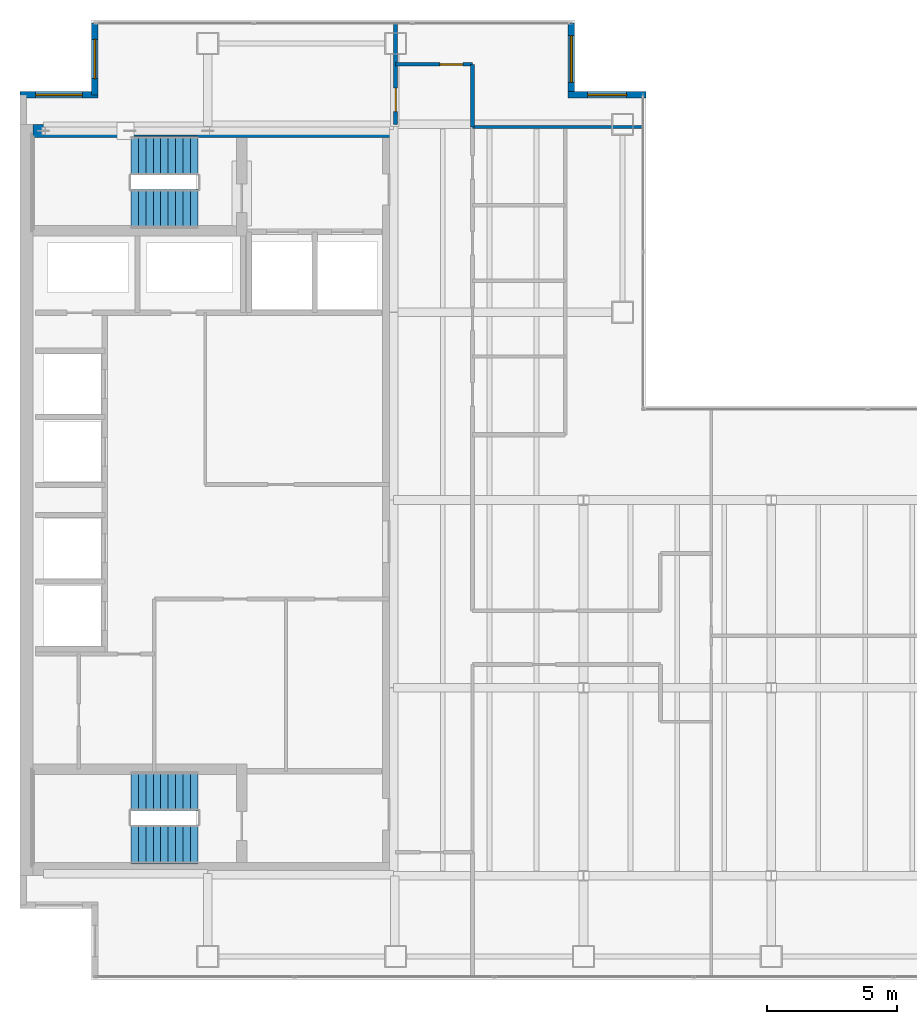
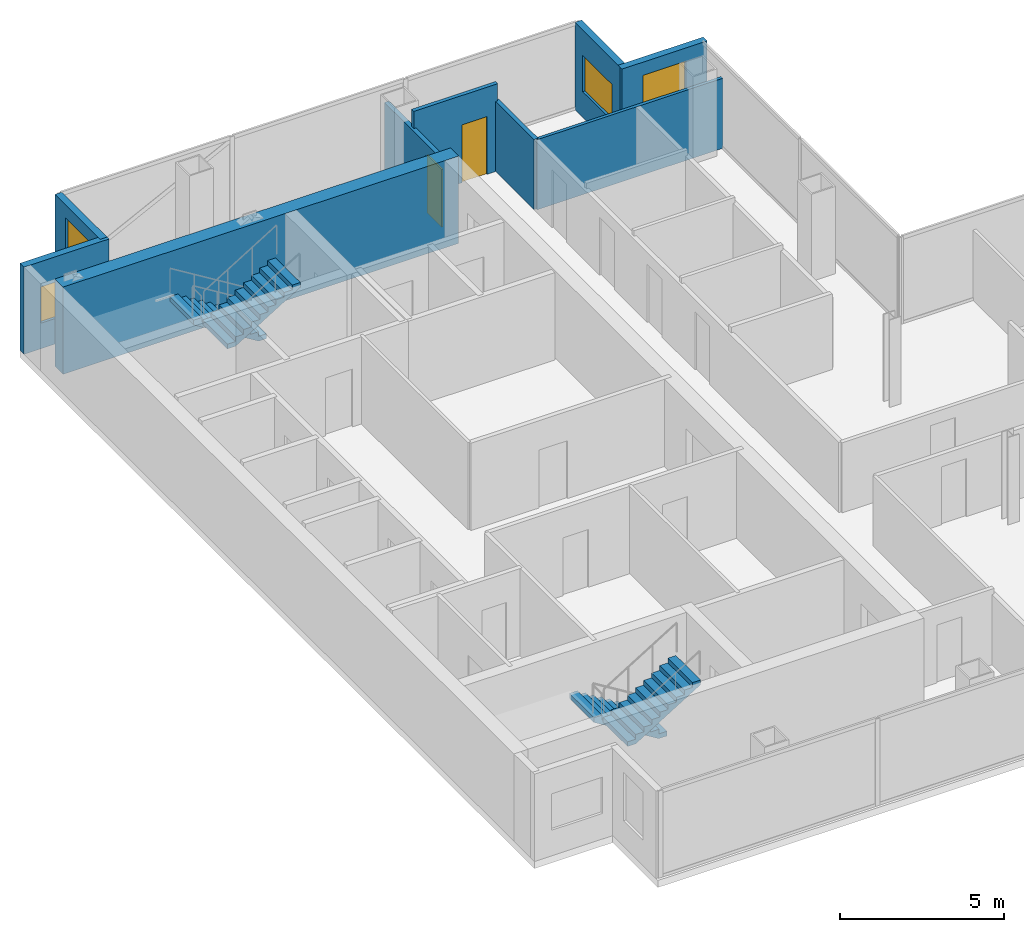
# One storey, part 22 of 23: 9 walls, 4 stair flights, 4 windows, 2 doors, 6 openings, 2 elements without a shape of their own.
"""IFC4 building model written with IfcOpenShell, lengths in metres."""

from ifc_helpers import new_model, si_unit, direction, frame, frame_2d, origin, place, context, subcontext, project, spatial, polyline, rectangle, outline, extrude, material, layer, layer_set, type_object, element, fill, aggregate, save


model = new_model("IFC4")

# Units and contexts
model_context = context("Model", 3, precision=1e-05, world=origin(), true_north=direction((0.0, 1.0)))
body_context = subcontext(model_context, "Body", "Model", "MODEL_VIEW")
ifc_project = project(units=[si_unit("LENGTHUNIT", "METRE"), si_unit("AREAUNIT", "SQUARE_METRE"), si_unit("VOLUMEUNIT", "CUBIC_METRE"), si_unit("PLANEANGLEUNIT", "RADIAN"), si_unit("MASSUNIT", "GRAM", prefix="KILO")], contexts=[model_context])

# Site, building, storey
site_placement = place(None, origin())
site = spatial("IfcSite", under=ifc_project, at=site_placement, CompositionType="ELEMENT")
building_placement = place(site_placement, origin())
building = spatial("IfcBuilding", under=site, at=building_placement, Name="Cobrela Telecom Tower", CompositionType="ELEMENT")
storey_placement = place(building_placement, frame((0.0, 0.0, 183.75)))
storey = spatial("IfcBuildingStorey", under=building, at=storey_placement, Name="L46", CompositionType="ELEMENT", Elevation=183.75)

# Wall
ifc_material_1 = material(Name="Concrete C40/50", Category="concrete")
ifc_layer_1 = layer(ifc_material_1, 0.5)
ifc_layer_set_1 = layer_set([ifc_layer_1], Name="Concrete C40/50")
wall_type_1 = type_object("IfcWallType", Name="WALL-CORE-C40-500", PredefinedType="SHEAR", material=ifc_layer_set_1)
wall_1_placement = place(storey_placement, frame((0.5, 35.75, 0.0), z_axis=(0.0, 0.0, 1.0), x_axis=(1.0, 0.0, 0.0)))
element("IfcWall", 1, at=wall_1_placement, inside=storey, type_object=wall_type_1, Name="L46 North Core Shear Wall", PredefinedType="SHEAR", context=body_context, shape_type="SweptSolid", body=[
    extrude(rectangle(XDim=13.89990234375, YDim=0.5, at=frame_2d((6.949951171875, 0.0))), origin(), (0.0, 0.0, 1.0), 3.239990234375),
])

# Wall, opening, window
ifc_layer_2 = layer(ifc_material_1, 0.239990234375)
ifc_layer_set_2 = layer_set([ifc_layer_2], Name="Concrete C40/50")
wall_type_2 = type_object("IfcWallType", Name="WALL-EXT-300", PredefinedType="STANDARD", material=ifc_layer_set_2)
wall_2_placement = place(storey_placement, frame((0.0, 37.1298828125, 0.0), z_axis=(0.0, 0.0, 1.0), x_axis=(1.0, 0.0, 0.0)))
wall_2 = element("IfcWall", 2, at=wall_2_placement, inside=storey, type_object=wall_type_2, Name="L46 Insulated Facade Wall 05", PredefinedType="STANDARD", context=body_context, shape_type="SweptSolid", body=[
    extrude(rectangle(XDim=2.989990234375, YDim=0.239990234375, at=frame_2d((1.4951171875, 0.0))), origin(), (0.0, 0.0, 1.0), 3.239990234375),
])
opening_1_placement = place(wall_2_placement, frame((0.594970703125, 0.0, 0.949951171875)))
opening_1 = element("IfcOpeningElement", 3, at=opening_1_placement, cuts=wall_2, Name="Opening WN-27", PredefinedType="OPENING", context=body_context, shape_type="SweptSolid", body=[
    extrude(rectangle(XDim=1.800048828125, YDim=1.35009765625, at=frame_2d((0.89990234375, 0.675048828125))), frame((0.0, 0.1318359375, 0.0), z_axis=(0.0, -1.0, 0.0), x_axis=(1.0, 0.0, 0.0)), (0.0, 0.0, 1.0), 0.263916015625),
])
ifc_material_2 = material(Name="Solar-Control Bronze Low-E Glass", Category="glass")
window_type_1 = type_object("IfcWindowType", Name="WIN-CLER-1800", PartitioningType="SINGLE_PANEL", PredefinedType="WINDOW", material=ifc_material_2)
window_1_placement = place(opening_1_placement, origin())
window_1 = element("IfcWindow", 4, at=window_1_placement, inside=storey, type_object=window_type_1, Name="L46 Corner Notch Facade Window 221", OverallHeight=1.35009765625, OverallWidth=1.800048828125, PartitioningType="SINGLE_PANEL", PredefinedType="WINDOW", context=body_context, shape_type="SweptSolid", body=[
    extrude(rectangle(XDim=1.800048828125, YDim=1.35009765625, at=frame_2d((0.89990234375, 0.675048828125))), frame((0.0, 0.030029296875, 0.0), z_axis=(0.0, -1.0, 0.0), x_axis=(1.0, 0.0, 0.0)), (0.0, 0.0, 1.0), 0.06005859375),
])
fill(opening_1, window_1)

wall_3_placement = place(storey_placement, frame((2.8701171875, 37.1298828125, 0.0), z_axis=(0.0, 0.0, 1.0), x_axis=(0.0, 1.0, 0.0)))
wall_3 = element("IfcWall", 5, at=wall_3_placement, inside=storey, type_object=wall_type_2, Name="L46 Insulated Facade Wall 06", PredefinedType="STANDARD", context=body_context, shape_type="SweptSolid", body=[
    extrude(rectangle(XDim=2.75, YDim=0.239990234375, at=frame_2d((1.375, 0.0))), origin(), (0.0, 0.0, 1.0), 3.239990234375),
])
opening_2_placement = place(wall_3_placement, frame((0.625, 0.0, 0.949951171875)))
opening_2 = element("IfcOpeningElement", 6, at=opening_2_placement, cuts=wall_3, Name="Opening WN-45", PredefinedType="OPENING", context=body_context, shape_type="SweptSolid", body=[
    extrude(rectangle(XDim=1.5, YDim=1.800048828125, at=frame_2d((0.75, 0.89990234375))), frame((0.0, 0.1318359375, 0.0), z_axis=(0.0, -1.0, 0.0), x_axis=(1.0, 0.0, 0.0)), (0.0, 0.0, 1.0), 0.263916015625),
])
window_type_2 = type_object("IfcWindowType", Name="WIN-MOD-1500", PartitioningType="SINGLE_PANEL", PredefinedType="WINDOW", material=ifc_material_2)
window_2_placement = place(opening_2_placement, origin())
window_2 = element("IfcWindow", 7, at=window_2_placement, inside=storey, type_object=window_type_2, Name="L46 Corner Notch Facade Window 222", OverallHeight=1.800048828125, OverallWidth=1.5, PartitioningType="SINGLE_PANEL", PredefinedType="WINDOW", context=body_context, shape_type="SweptSolid", body=[
    extrude(rectangle(XDim=1.5, YDim=1.800048828125, at=frame_2d((0.75, 0.89990234375))), frame((0.0, 0.030029296875, 0.0), z_axis=(0.0, -1.0, 0.0), x_axis=(1.0, 0.0, 0.0)), (0.0, 0.0, 1.0), 0.06005859375),
])
fill(opening_2, window_2)

wall_4_placement = place(storey_placement, frame((21.1298828125, 39.8798828125, 0.0), z_axis=(0.0, 0.0, 1.0), x_axis=(0.0, -1.0, 0.0)))
wall_4 = element("IfcWall", 8, at=wall_4_placement, inside=storey, type_object=wall_type_2, Name="L46 Insulated Facade Wall 08", PredefinedType="STANDARD", context=body_context, shape_type="SweptSolid", body=[
    extrude(rectangle(XDim=2.75, YDim=0.239990234375, at=frame_2d((1.375, 0.0))), origin(), (0.0, 0.0, 1.0), 3.239990234375),
])
opening_3_placement = place(wall_4_placement, frame((0.47509765625, 0.0, 0.949951171875)))
opening_3 = element("IfcOpeningElement", 9, at=opening_3_placement, cuts=wall_4, Name="Opening WN-27", PredefinedType="OPENING", context=body_context, shape_type="SweptSolid", body=[
    extrude(rectangle(XDim=1.800048828125, YDim=1.35009765625, at=frame_2d((0.89990234375, 0.675048828125))), frame((0.0, 0.1318359375, 0.0), z_axis=(0.0, -1.0, 0.0), x_axis=(1.0, 0.0, 0.0)), (0.0, 0.0, 1.0), 0.263916015625),
])
window_3_placement = place(opening_3_placement, origin())
window_3 = element("IfcWindow", 10, at=window_3_placement, inside=storey, type_object=window_type_1, Name="L46 Corner Notch Facade Window 223", OverallHeight=1.35009765625, OverallWidth=1.800048828125, PartitioningType="SINGLE_PANEL", PredefinedType="WINDOW", context=body_context, shape_type="SweptSolid", body=[
    extrude(rectangle(XDim=1.800048828125, YDim=1.35009765625, at=frame_2d((0.89990234375, 0.675048828125))), frame((0.0, 0.030029296875, 0.0), z_axis=(0.0, -1.0, 0.0), x_axis=(1.0, 0.0, 0.0)), (0.0, 0.0, 1.0), 0.06005859375),
])
fill(opening_3, window_3)

wall_5_placement = place(storey_placement, frame((21.010009765625, 37.1298828125, 0.0), z_axis=(0.0, 0.0, 1.0), x_axis=(1.0, 0.0, 0.0)))
wall_5 = element("IfcWall", 11, at=wall_5_placement, inside=storey, type_object=wall_type_2, Name="L46 Insulated Facade Wall 09", PredefinedType="STANDARD", context=body_context, shape_type="SweptSolid", body=[
    extrude(rectangle(XDim=2.989990234375, YDim=0.239990234375, at=frame_2d((1.4951171875, 0.0))), origin(), (0.0, 0.0, 1.0), 3.239990234375),
])
opening_4_placement = place(wall_5_placement, frame((0.7451171875, 0.0, 0.949951171875)))
opening_4 = element("IfcOpeningElement", 12, at=opening_4_placement, cuts=wall_5, Name="Opening WN-45", PredefinedType="OPENING", context=body_context, shape_type="SweptSolid", body=[
    extrude(rectangle(XDim=1.5, YDim=1.800048828125, at=frame_2d((0.75, 0.89990234375))), frame((0.0, 0.1318359375, 0.0), z_axis=(0.0, -1.0, 0.0), x_axis=(1.0, 0.0, 0.0)), (0.0, 0.0, 1.0), 0.263916015625),
])
window_4_placement = place(opening_4_placement, origin())
window_4 = element("IfcWindow", 13, at=window_4_placement, inside=storey, type_object=window_type_2, Name="L46 Corner Notch Facade Window 224", OverallHeight=1.800048828125, OverallWidth=1.5, PartitioningType="SINGLE_PANEL", PredefinedType="WINDOW", context=body_context, shape_type="SweptSolid", body=[
    extrude(rectangle(XDim=1.5, YDim=1.800048828125, at=frame_2d((0.75, 0.89990234375))), frame((0.0, 0.030029296875, 0.0), z_axis=(0.0, -1.0, 0.0), x_axis=(1.0, 0.0, 0.0)), (0.0, 0.0, 1.0), 0.06005859375),
])
fill(opening_4, window_4)

# Wall
ifc_material_3 = material(Name="Fire-Rated Gypsum Plasterboard")
ifc_layer_3 = layer(ifc_material_3, 0.110107421875)
ifc_layer_set_3 = layer_set([ifc_layer_3], Name="Fire-Rated Gypsum Plasterboard")
wall_type_3 = type_object("IfcWallType", Name="WALL-PART-110", PredefinedType="PARTITIONING", material=ifc_layer_set_3)
wall_6_placement = place(storey_placement, frame((17.35009765625, 35.89990234375, 0.0), z_axis=(0.0, 0.0, 1.0), x_axis=(1.0, 0.0, 0.0)))
element("IfcWall", 14, at=wall_6_placement, inside=storey, type_object=wall_type_3, Name="L46 Interior Partition W-NW2-S", PredefinedType="PARTITIONING", context=body_context, shape_type="SweptSolid", body=[
    extrude(rectangle(XDim=6.52978515625, YDim=0.110107421875, at=frame_2d((3.264892578125, 0.0))), origin(), (0.0, 0.0, 1.0), 2.60302734375),
])

# Wall, opening, door
ifc_layer_4 = layer(ifc_material_3, 0.135009765625)
ifc_layer_set_4 = layer_set([ifc_layer_4], Name="Fire-Rated Gypsum Plasterboard")
wall_type_4 = type_object("IfcWallType", Name="WALL-PART-135", PredefinedType="PARTITIONING", material=ifc_layer_set_4)
wall_7_placement = place(storey_placement, frame((14.39990234375, 38.300048828125, 0.0), z_axis=(0.0, 0.0, 1.0), x_axis=(1.0, 0.0, 0.0)))
wall_7 = element("IfcWall", 15, at=wall_7_placement, inside=storey, type_object=wall_type_4, Name="L46 Interior Partition W-CN-T", PredefinedType="PARTITIONING", context=body_context, shape_type="SweptSolid", body=[
    extrude(rectangle(XDim=2.9501953125, YDim=0.135009765625, at=frame_2d((1.47509765625, 0.0))), origin(), (0.0, 0.0, 1.0), 3.239990234375),
])
opening_5_placement = place(wall_7_placement, frame((1.699951171875, 0.0, 0.0)))
opening_5 = element("IfcOpeningElement", 16, at=opening_5_placement, cuts=wall_7, Name="Opening DR-39", PredefinedType="OPENING", context=body_context, shape_type="SweptSolid", body=[
    extrude(rectangle(XDim=0.8798828125, YDim=2.14990234375, at=frame_2d((0.43994140625, 1.074951171875))), frame((0.0, 0.07958984375, 0.0), z_axis=(0.0, -1.0, 0.0), x_axis=(1.0, 0.0, 0.0)), (0.0, 0.0, 1.0), 0.158935546875),
])
ifc_material_4 = material(Name="Solid Engineered Oak Timber", Category="wood")
door_type_1 = type_object("IfcDoorType", Name="DOOR-INT-880", OperationType="SINGLE_SWING_LEFT", PredefinedType="DOOR", material=ifc_material_4)
door_1_placement = place(opening_5_placement, origin())
door_1 = element("IfcDoor", 17, at=door_1_placement, inside=storey, type_object=door_type_1, Name="L46 Door DR-39", OperationType="SINGLE_SWING_RIGHT", OverallHeight=2.14990234375, OverallWidth=0.8798828125, PredefinedType="DOOR", context=body_context, shape_type="SweptSolid", body=[
    extrude(rectangle(XDim=0.8798828125, YDim=2.14990234375, at=frame_2d((0.43994140625, 1.074951171875))), frame((0.0, 0.02490234375, 0.0), z_axis=(0.0, -1.0, 0.0), x_axis=(1.0, 0.0, 0.0)), (0.0, 0.0, 1.0), 0.050048828125),
])
fill(opening_5, door_1)

# Wall
ifc_layer_5 = layer(ifc_material_3, 0.14990234375)
ifc_layer_set_5 = layer_set([ifc_layer_5], Name="Fire-Rated Gypsum Plasterboard")
wall_type_5 = type_object("IfcWallType", Name="WALL-PART-150", PredefinedType="PARTITIONING", material=ifc_layer_set_5)
wall_8_placement = place(storey_placement, frame((17.35009765625, 35.89990234375, 0.0), z_axis=(0.0, 0.0, 1.0), x_axis=(0.0, 1.0, 0.0)))
element("IfcWall", 18, at=wall_8_placement, inside=storey, type_object=wall_type_5, Name="L46 Interior Partition W-CN-E", PredefinedType="PARTITIONING", context=body_context, shape_type="SweptSolid", body=[
    extrude(rectangle(XDim=2.400146484375, YDim=0.14990234375, at=frame_2d((1.2001953125, 0.0))), origin(), (0.0, 0.0, 1.0), 2.60302734375),
])

# Wall, opening, door
ifc_layer_6 = layer(ifc_material_3, 0.159912109375)
ifc_layer_set_6 = layer_set([ifc_layer_6], Name="Fire-Rated Gypsum Plasterboard")
wall_type_6 = type_object("IfcWallType", Name="WALL-PART-160", PredefinedType="PARTITIONING", material=ifc_layer_set_6)
wall_9_placement = place(storey_placement, frame((14.39990234375, 36.0, 0.0), z_axis=(0.0, 0.0, 1.0), x_axis=(0.0, 1.0, 0.0)))
wall_9 = element("IfcWall", 19, at=wall_9_placement, inside=storey, type_object=wall_type_6, Name="L46 Interior Partition W-CN-W", PredefinedType="PARTITIONING", context=body_context, shape_type="SweptSolid", body=[
    extrude(rectangle(XDim=3.8798828125, YDim=0.159912109375, at=frame_2d((1.93994140625, 0.0))), origin(), (0.0, 0.0, 1.0), 2.60302734375),
])
opening_6_placement = place(wall_9_placement, frame((0.489990234375, 0.0, 0.0)))
opening_6 = element("IfcOpeningElement", 20, at=opening_6_placement, cuts=wall_9, Name="Opening DR-41", PredefinedType="OPENING", context=body_context, shape_type="SweptSolid", body=[
    extrude(rectangle(XDim=0.89990234375, YDim=2.14990234375, at=frame_2d((0.449951171875, 1.074951171875))), frame((0.0, 0.091796875, 0.0), z_axis=(0.0, -1.0, 0.0), x_axis=(1.0, 0.0, 0.0)), (0.0, 0.0, 1.0), 0.183837890625),
])
door_type_2 = type_object("IfcDoorType", Name="DOOR-INT-900", OperationType="SINGLE_SWING_LEFT", PredefinedType="DOOR", material=ifc_material_4)
door_2_placement = place(opening_6_placement, origin())
door_2 = element("IfcDoor", 21, at=door_2_placement, inside=storey, type_object=door_type_2, Name="L46 Door DR-41", OperationType="SINGLE_SWING_LEFT", OverallHeight=2.14990234375, OverallWidth=0.89990234375, PredefinedType="DOOR", context=body_context, shape_type="SweptSolid", body=[
    extrude(rectangle(XDim=0.89990234375, YDim=2.14990234375, at=frame_2d((0.449951171875, 1.074951171875))), frame((0.0, 0.02490234375, 0.0), z_axis=(0.0, -1.0, 0.0), x_axis=(1.0, 0.0, 0.0)), (0.0, 0.0, 1.0), 0.050048828125),
])
fill(opening_6, door_2)

# Stair, stair flights
stair_type = type_object("IfcStairType", Name="STAIR-CORE", PredefinedType="HALF_TURN_STAIR", material=ifc_material_1)
stair_1_placement = place(storey_placement, origin())
stair_1 = element("IfcStair", 22, at=stair_1_placement, inside=storey, type_object=stair_type, Name="L46 Smokeproof Exit Stair ST1", PredefinedType="HALF_TURN_STAIR")
stair_flight_type = type_object("IfcStairFlightType", Name="FLIGHT-CORE", PredefinedType="STRAIGHT", material=ifc_material_1)
stair_flight_1_placement = place(storey_placement, frame((6.820068359375, 34.800048828125, 0.0), z_axis=(0.0, 0.0, 1.0), x_axis=(-1.0, 0.0, 0.0)))
stair_flight_1 = element("IfcStairFlight", 23, at=stair_flight_1_placement, type_object=stair_flight_type, Name="ST1 flight 1", NumberOfRisers=10, NumberOfTreads=9, PredefinedType="STRAIGHT", RiserHeight=0.175, TreadLength=0.285, context=body_context, shape_type="SweptSolid", body=[
    extrude(outline(polyline([(0.0, 0.0), (0.0, 0.175048828125), (0.284912109375, 0.175048828125), (0.284912109375, 0.35009765625), (0.570068359375, 0.35009765625), (0.570068359375, 0.52490234375), (0.85498046875, 0.52490234375), (0.85498046875, 0.699951171875), (1.139892578125, 0.699951171875), (1.139892578125, 0.875), (1.425048828125, 0.875), (1.425048828125, 1.050048828125), (1.7099609375, 1.050048828125), (1.7099609375, 1.22509765625), (1.9951171875, 1.22509765625), (1.9951171875, 1.39990234375), (2.280029296875, 1.39990234375), (2.280029296875, 1.574951171875), (2.56494140625, 1.574951171875), (2.56494140625, 1.75), (2.56494140625, 1.399169921875), (0.286376953125, 0.0), (0.0, 0.0)])), frame((0.0, 0.75, 0.0), z_axis=(0.0, -1.0, 0.0), x_axis=(1.0, 0.0, 0.0)), (0.0, 0.0, 1.0), 1.5),
])
stair_flight_2_placement = place(storey_placement, frame((4.2548828125, 32.75, 1.75), z_axis=(0.0, 0.0, 1.0), x_axis=(1.0, 0.0, 0.0)))
stair_flight_2 = element("IfcStairFlight", 24, at=stair_flight_2_placement, type_object=stair_flight_type, Name="ST1 flight 2", NumberOfRisers=10, NumberOfTreads=9, PredefinedType="STRAIGHT", RiserHeight=0.175, TreadLength=0.285, context=body_context, shape_type="SweptSolid", body=[
    extrude(outline(polyline([(0.0, 0.0), (0.0, 0.175048828125), (0.284912109375, 0.175048828125), (0.284912109375, 0.35009765625), (0.570068359375, 0.35009765625), (0.570068359375, 0.52490234375), (0.85498046875, 0.52490234375), (0.85498046875, 0.699951171875), (1.139892578125, 0.699951171875), (1.139892578125, 0.875), (1.425048828125, 0.875), (1.425048828125, 1.050048828125), (1.7099609375, 1.050048828125), (1.7099609375, 1.22509765625), (1.9951171875, 1.22509765625), (1.9951171875, 1.39990234375), (2.280029296875, 1.39990234375), (2.280029296875, 1.574951171875), (2.56494140625, 1.574951171875), (2.56494140625, 1.75), (2.56494140625, 1.399169921875), (0.286376953125, 0.0), (0.0, 0.0)])), frame((0.0, 0.75, 0.0), z_axis=(0.0, -1.0, 0.0), x_axis=(1.0, 0.0, 0.0)), (0.0, 0.0, 1.0), 1.5),
])
aggregate(stair_1, [stair_flight_1, stair_flight_2])

stair_2_placement = place(storey_placement, origin())
stair_2 = element("IfcStair", 25, at=stair_2_placement, inside=storey, type_object=stair_type, Name="L46 Smokeproof Exit Stair ST2", PredefinedType="HALF_TURN_STAIR")
stair_flight_3_placement = place(storey_placement, frame((6.820068359375, 10.449951171875, 0.0), z_axis=(0.0, 0.0, 1.0), x_axis=(-1.0, 0.0, 0.0)))
stair_flight_3 = element("IfcStairFlight", 26, at=stair_flight_3_placement, type_object=stair_flight_type, Name="ST2 flight 1", NumberOfRisers=10, NumberOfTreads=9, PredefinedType="STRAIGHT", RiserHeight=0.175, TreadLength=0.285, context=body_context, shape_type="SweptSolid", body=[
    extrude(outline(polyline([(0.0, 0.0), (0.0, 0.175048828125), (0.284912109375, 0.175048828125), (0.284912109375, 0.35009765625), (0.570068359375, 0.35009765625), (0.570068359375, 0.52490234375), (0.85498046875, 0.52490234375), (0.85498046875, 0.699951171875), (1.139892578125, 0.699951171875), (1.139892578125, 0.875), (1.425048828125, 0.875), (1.425048828125, 1.050048828125), (1.7099609375, 1.050048828125), (1.7099609375, 1.22509765625), (1.9951171875, 1.22509765625), (1.9951171875, 1.39990234375), (2.280029296875, 1.39990234375), (2.280029296875, 1.574951171875), (2.56494140625, 1.574951171875), (2.56494140625, 1.75), (2.56494140625, 1.399169921875), (0.286376953125, 0.0), (0.0, 0.0)])), frame((0.0, 0.75, 0.0), z_axis=(0.0, -1.0, 0.0), x_axis=(1.0, 0.0, 0.0)), (0.0, 0.0, 1.0), 1.5),
])
stair_flight_4_placement = place(storey_placement, frame((4.2548828125, 8.39990234375, 1.75), z_axis=(0.0, 0.0, 1.0), x_axis=(1.0, 0.0, 0.0)))
stair_flight_4 = element("IfcStairFlight", 27, at=stair_flight_4_placement, type_object=stair_flight_type, Name="ST2 flight 2", NumberOfRisers=10, NumberOfTreads=9, PredefinedType="STRAIGHT", RiserHeight=0.175, TreadLength=0.285, context=body_context, shape_type="SweptSolid", body=[
    extrude(outline(polyline([(0.0, 0.0), (0.0, 0.175048828125), (0.284912109375, 0.175048828125), (0.284912109375, 0.35009765625), (0.570068359375, 0.35009765625), (0.570068359375, 0.52490234375), (0.85498046875, 0.52490234375), (0.85498046875, 0.699951171875), (1.139892578125, 0.699951171875), (1.139892578125, 0.875), (1.425048828125, 0.875), (1.425048828125, 1.050048828125), (1.7099609375, 1.050048828125), (1.7099609375, 1.22509765625), (1.9951171875, 1.22509765625), (1.9951171875, 1.39990234375), (2.280029296875, 1.39990234375), (2.280029296875, 1.574951171875), (2.56494140625, 1.574951171875), (2.56494140625, 1.75), (2.56494140625, 1.399169921875), (0.286376953125, 0.0), (0.0, 0.0)])), frame((0.0, 0.75, 0.0), z_axis=(0.0, -1.0, 0.0), x_axis=(1.0, 0.0, 0.0)), (0.0, 0.0, 1.0), 1.5),
])
aggregate(stair_2, [stair_flight_3, stair_flight_4])

save(model, "model.ifc")
